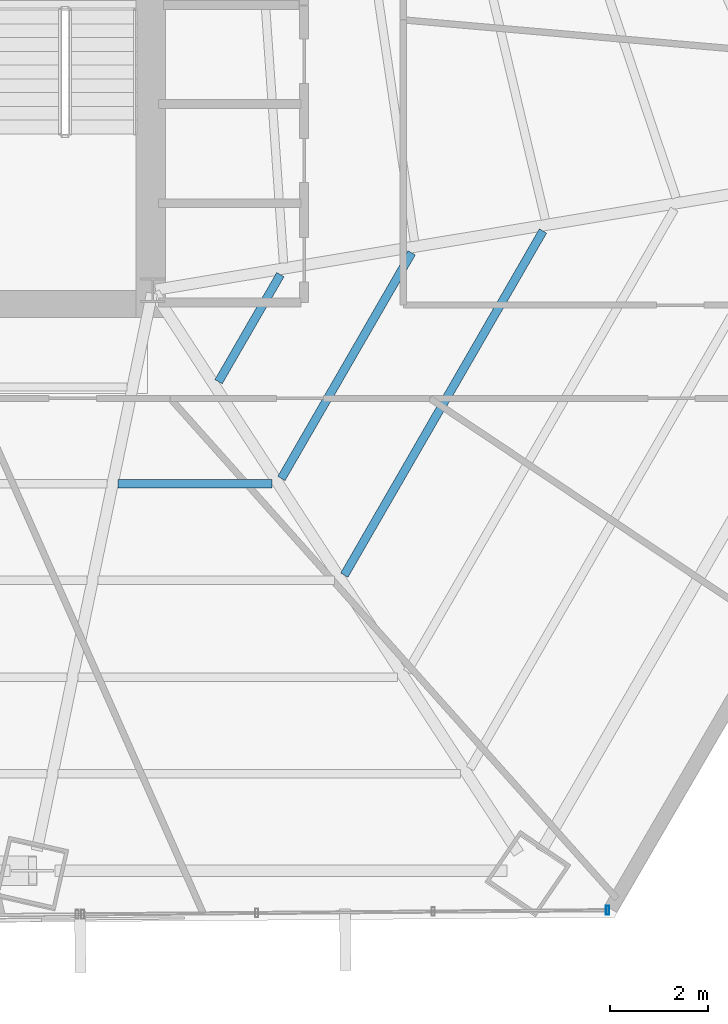
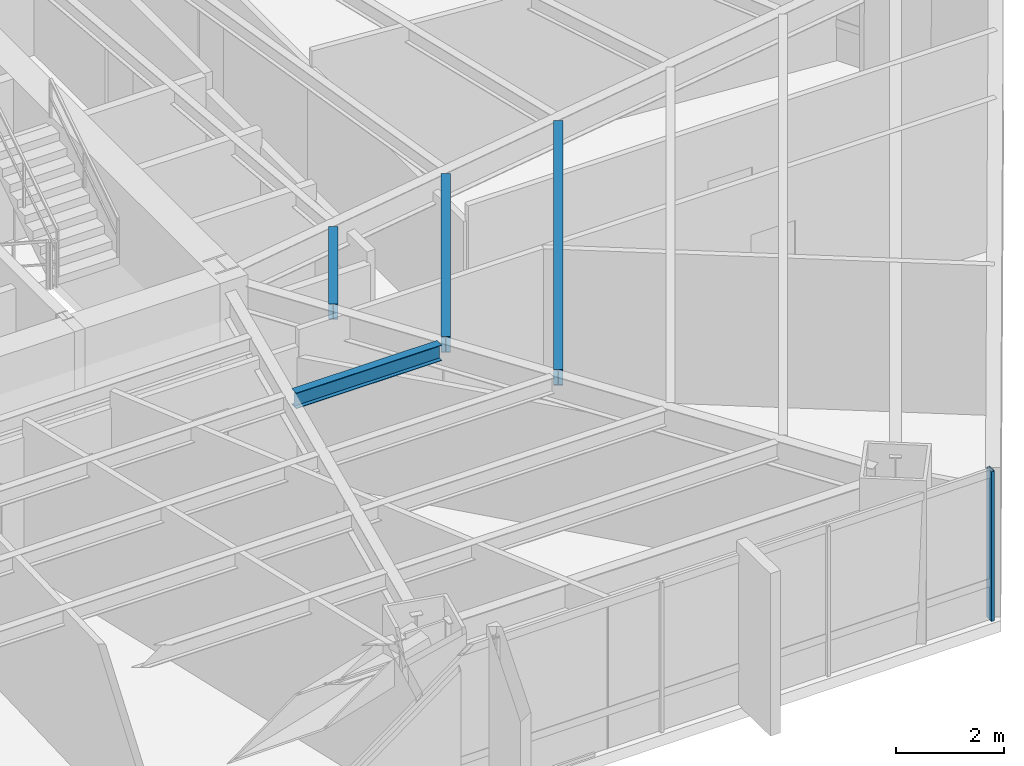
# One storey, part 18 of 36: 4 beams, 1 member, 1 element without a shape of its own.
"""IFC4 building model written with IfcOpenShell, lengths in metres."""

from ifc_helpers import new_model, si_unit, direction, frame, origin, origin_2d, place, context, subcontext, project, spatial, hollow_rectangle, i_section, extrude, source, transform, mapped, material, material_profile, profile_set, type_object, type_shapes, element, aggregate, save


model = new_model("IFC4")

# Units and contexts
model_context = context("Model", 3, precision=1e-05, world=origin(), true_north=direction((0.0, 1.0)))
body_context = subcontext(model_context, "Body", "Model", "MODEL_VIEW")
ifc_project = project(units=[si_unit("LENGTHUNIT", "METRE"), si_unit("AREAUNIT", "SQUARE_METRE"), si_unit("VOLUMEUNIT", "CUBIC_METRE"), si_unit("PLANEANGLEUNIT", "RADIAN"), si_unit("MASSUNIT", "GRAM", prefix="KILO")], contexts=[model_context])

# Site, building, storey
site_placement = place(None, origin())
site = spatial("IfcSite", under=ifc_project, at=site_placement, CompositionType="ELEMENT")
building_placement = place(site_placement, origin())
building = spatial("IfcBuilding", under=site, at=building_placement, Name="Caelisora Broadcast Tower", CompositionType="ELEMENT")
storey_placement = place(building_placement, frame((0.0, 0.0, 64.10009765625)))
storey = spatial("IfcBuildingStorey", under=building, at=storey_placement, Name="L16", CompositionType="ELEMENT", Elevation=64.10009765625)

# Beams
ifc_material_1 = material(Name="Steel Grade 350 (AS/NZS 3679.1)", Category="steel")
ifc_material_profile_1 = material_profile(ifc_material_1, i_section(OverallWidth=0.172119140625, OverallDepth=0.358642578125, WebThickness=0.008056640625, FlangeThickness=0.012939453125, at=origin_2d()), Name="Steel Grade 350 (AS/NZS 3679.1)")
ifc_profile_set_1 = profile_set([ifc_material_profile_1], Name="Steel Grade 350 (AS/NZS 3679.1)")
beam_type = type_object("IfcBeamType", Name="SB02", PredefinedType="JOIST", material=ifc_profile_set_1)
shared_shape_1 = source(origin(), body_context, "Body", "SweptSolid", [
    extrude(i_section(OverallWidth=0.172119140625, OverallDepth=0.358642578125, WebThickness=0.008056640625, FlangeThickness=0.012939453125, at=origin_2d()), origin(), (0.0, 0.0, 1.0), 2.5146484375),
])
beam_1_placement = place(storey_placement, frame((46.84130859375, 15.540771484375, 3.220703125), z_axis=(0.500002592159, 0.866023907196, 0.0), x_axis=(-0.866023907196, 0.500002592159, 0.0)))
element("IfcBeam", 1, at=beam_1_placement, inside=storey, type_object=beam_type, Name="L16 beam SB02", PredefinedType="JOIST", context=body_context, shape_type="MappedRepresentation", body=[
    mapped(shared_shape_1, transform((0.0, 0.0, 0.0), scale=1.0)),
])
shared_shape_2 = source(origin(), body_context, "Body", "SweptSolid", [
    extrude(i_section(OverallWidth=0.172119140625, OverallDepth=0.358642578125, WebThickness=0.008056640625, FlangeThickness=0.012939453125, at=origin_2d()), origin(), (0.0, 0.0, 1.0), 5.298828125),
])
beam_2_placement = place(storey_placement, frame((48.1201171875, 13.5732421875, 3.220703125), z_axis=(0.500004296715, 0.866022923061, 0.0), x_axis=(-0.866022923061, 0.500004296715, 0.0)))
element("IfcBeam", 2, at=beam_2_placement, inside=storey, type_object=beam_type, Name="L16 beam SB02", PredefinedType="JOIST", context=body_context, shape_type="MappedRepresentation", body=[
    mapped(shared_shape_2, transform((0.0, 0.0, 0.0), scale=1.0)),
])
shared_shape_3 = source(origin(), body_context, "Body", "SweptSolid", [
    extrude(i_section(OverallWidth=0.172119140625, OverallDepth=0.358642578125, WebThickness=0.008056640625, FlangeThickness=0.012939453125, at=origin_2d()), origin(), (0.0, 0.0, 1.0), 8.0830078125),
])
beam_3_placement = place(storey_placement, frame((49.39892578125, 11.605712890625, 3.220703125), z_axis=(0.50000482701, 0.866022616891, 0.0), x_axis=(-0.866022616891, 0.50000482701, 0.0)))
element("IfcBeam", 3, at=beam_3_placement, inside=storey, type_object=beam_type, Name="L16 beam SB02", PredefinedType="JOIST", context=body_context, shape_type="MappedRepresentation", body=[
    mapped(shared_shape_3, transform((0.0, 0.0, 0.0), scale=1.0)),
])
shared_shape_4 = source(origin(), body_context, "Body", "SweptSolid", [
    extrude(i_section(OverallWidth=0.172119140625, OverallDepth=0.358642578125, WebThickness=0.008056640625, FlangeThickness=0.012939453125, at=origin_2d()), origin(), (0.0, 0.0, 1.0), 3.12548828125),
])
type_shapes(beam_type, [shared_shape_1, shared_shape_2, shared_shape_3, shared_shape_4])
beam_4_placement = place(storey_placement, frame((44.79931640625, 13.465087890625, 3.220703125), z_axis=(1.0, 0.0, 0.0), x_axis=(0.0, 1.0, 0.0)))
element("IfcBeam", 4, at=beam_4_placement, inside=storey, type_object=beam_type, Name="L16 beam SB02", PredefinedType="JOIST", context=body_context, shape_type="MappedRepresentation", body=[
    mapped(shared_shape_4, transform((0.0, 0.0, 0.0), scale=1.0)),
])

# Curtain wall, member
ifc_material_2 = material(Name="Unitised Aluminium and Low-E Glass Curtain Wall", Category="glass")
curtain_wall_type = type_object("IfcCurtainWallType", Name="CW-Z1", PredefinedType="NOTDEFINED", material=ifc_material_2)
curtain_wall_placement = place(storey_placement, origin())
curtain_wall = element("IfcCurtainWall", 5, at=curtain_wall_placement, inside=storey, type_object=curtain_wall_type, Name="L16 curtain wall CW-Z1", PredefinedType="NOTDEFINED")
ifc_material_3 = material(Name="Aluminium 6063-T6 Anodised Terracotta Bronze", Category="aluminium")
ifc_material_profile_2 = material_profile(ifc_material_3, hollow_rectangle(XDim=0.06494140625, YDim=0.179931640625, WallThickness=0.00341796875, at=origin_2d()), Name="Aluminium 6063-T6 Anodised Terracotta Bronze")
ifc_profile_set_2 = profile_set([ifc_material_profile_2], Name="Aluminium 6063-T6 Anodised Terracotta Bronze")
member_type = type_object("IfcMemberType", Name="CWM-02", PredefinedType="MULLION", material=ifc_profile_set_2)
shared_shape_5 = source(origin(), body_context, "Body", "SweptSolid", [
    extrude(hollow_rectangle(XDim=0.06494140625, YDim=0.179931640625, WallThickness=0.00341796875, at=origin_2d()), origin(), (0.0, 0.0, 1.0), 3.39990234375),
])
type_shapes(member_type, [shared_shape_5])
member_placement = place(storey_placement, frame((54.7529296875, 4.79052734375, 0.0), z_axis=(0.0, 0.0, 1.0), x_axis=(1.0, 0.0, 0.0)))
member = element("IfcMember", 6, at=member_placement, type_object=member_type, Name="L16-CW-B05 mullion #0", PredefinedType="MULLION", context=body_context, shape_type="MappedRepresentation", body=[
    mapped(shared_shape_5, transform((0.0, 0.0, 0.0), scale=1.0)),
])
aggregate(curtain_wall, [member])

save(model, "model.ifc")
